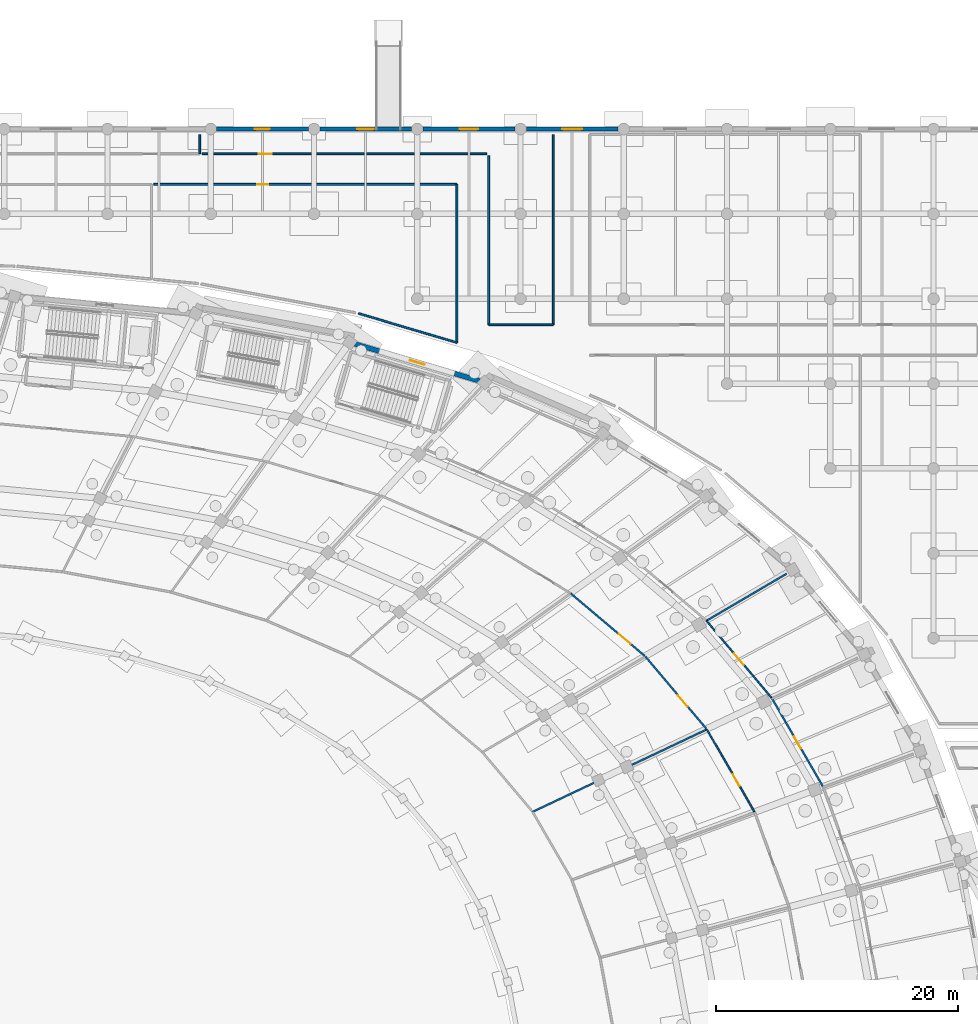
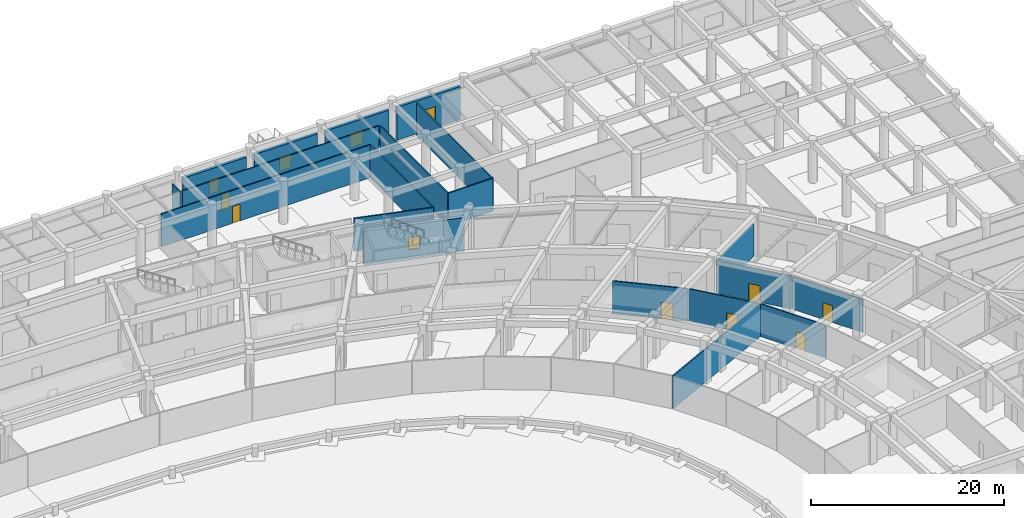
# One storey, part 63 of 88: 20 walls, 7 doors, 5 windows, 12 openings.
"""IFC4 building model written with IfcOpenShell, lengths in metres."""

import ifcopenshell
import ifcopenshell.guid

model = None  # the IFC model being written
_history = None  # IfcOwnerHistory: only IFC2X3 demands one
_inside = {}  # id of a spatial element -> (the spatial element, [elements in it])
_under = {}  # id of a project, library or spatial element -> (it, [spatial elements below it])
_declared = {}  # id of a project -> (the project, [libraries it declares])
_typed = {}  # id of a type object -> (the type object, [elements of that type])
_made_of = {}  # id of a material, layer set ... -> (it, [elements and type objects made of it])


def new_model(schema):
    """Start an empty IFC model of exactly this schema.

    Asked for "IFC4X3", IfcOpenShell would pick the latest addendum, in which some entities
    have other attributes; the version numbers below select the first issue.
    IFC2X3 requires an IfcOwnerHistory on every rooted entity: one is made here for all.
    """
    global model, _history
    if schema == "IFC4X3":
        model = ifcopenshell.file(schema_version=(4, 3, 0, 0))
    else:
        model = ifcopenshell.file(schema=schema)
    _inside.clear()
    _under.clear()
    _declared.clear()
    _typed.clear()
    _made_of.clear()
    _history = None
    if model.schema == "IFC2X3":
        org = make("IfcOrganization", Name="unknown")
        user = make(
            "IfcPersonAndOrganization",
            ThePerson=make("IfcPerson", FamilyName="unknown"),
            TheOrganization=org,
        )
        app = make(
            "IfcApplication",
            ApplicationDeveloper=org,
            Version="unknown",
            ApplicationFullName="unknown",
            ApplicationIdentifier="unknown",
        )
        _history = make(
            "IfcOwnerHistory",
            OwningUser=user,
            OwningApplication=app,
            ChangeAction="ADDED",
            CreationDate=0,
        )
    return model


def make(cls, **values):
    """One entity of the class cls with the attributes given. An attribute that is None is left unset."""
    return model.create_entity(
        cls, **{name: value for name, value in values.items() if value is not None}
    )


def rooted(cls, **values):
    """An entity with a GlobalId (a new one), such as an element, a storey or a relation."""
    return make(cls, GlobalId=ifcopenshell.guid.new(), OwnerHistory=_history, **values)


def si_unit(unit_type, name, prefix=None):
    """IfcSIUnit, for example si_unit("LENGTHUNIT", "METRE", prefix="MILLI")."""
    return make("IfcSIUnit", UnitType=unit_type, Prefix=prefix, Name=name)


def assignment(units):
    """IfcUnitAssignment: the units of a project."""
    return None if units is None else make("IfcUnitAssignment", Units=units)


def point(xyz):
    """IfcCartesianPoint."""
    return None if xyz is None else make("IfcCartesianPoint", Coordinates=xyz)


def direction(xyz):
    """IfcDirection."""
    return None if xyz is None else make("IfcDirection", DirectionRatios=xyz)


def frame(location, z_axis=None, x_axis=None):
    """IfcAxis2Placement3D, a coordinate frame: its origin and axes. An axis left out is left unset."""
    return make(
        "IfcAxis2Placement3D",
        Location=point(location),
        Axis=direction(z_axis),
        RefDirection=direction(x_axis),
    )


def frame_2d(location, x_axis=None):
    """IfcAxis2Placement2D, a coordinate frame in the plane: its origin and x axis."""
    return make(
        "IfcAxis2Placement2D", Location=point(location), RefDirection=direction(x_axis)
    )


def origin():
    """The frame at (0, 0, 0) with its axes left unset."""
    return frame((0.0, 0.0, 0.0))


def place(relative_to, where):
    """IfcLocalPlacement: puts the frame where relative to a parent placement (None: the world)."""
    return make(
        "IfcLocalPlacement", PlacementRelTo=relative_to, RelativePlacement=where
    )


def context(
    kind, dimensions, precision=None, world=None, true_north=None, identifier=None
):
    """IfcGeometricRepresentationContext, for example the 3D "Model" context."""
    return make(
        "IfcGeometricRepresentationContext",
        ContextIdentifier=identifier,
        ContextType=kind,
        CoordinateSpaceDimension=dimensions,
        Precision=precision,
        WorldCoordinateSystem=world,
        TrueNorth=true_north,
    )


def subcontext(parent, identifier, kind, view, scale=None):
    """IfcGeometricRepresentationSubContext, for example "Body" below "Model"."""
    return make(
        "IfcGeometricRepresentationSubContext",
        ContextIdentifier=identifier,
        ContextType=kind,
        ParentContext=parent,
        TargetScale=scale,
        TargetView=view,
    )


def project(units=None, contexts=None):
    """IfcProject with its units and contexts."""
    return rooted(
        "IfcProject",
        Name="project",
        RepresentationContexts=contexts,
        UnitsInContext=assignment(units),
    )


def spatial(cls, under=None, at=None, **own):
    """A site, building, storey or space (cls), placed at a placement, below another one or the project."""
    s = rooted(cls, ObjectPlacement=at, **own)
    if under is not None:
        _under.setdefault(under.id(), (under, []))[1].append(s)
    return s


def profile(cls, at=None, kind="AREA", **sizes):
    """A parametric profile (cls). Its sizes go by their IFC names, for example OverallWidth=200.0."""
    return make(cls, ProfileType=kind, Position=at, **sizes)


def rectangle(**sizes):
    """IfcRectangleProfileDef."""
    return profile("IfcRectangleProfileDef", **sizes)


def extrude(swept, where, along, depth):
    """IfcExtrudedAreaSolid: the profile swept, set in the frame where, extruded along a direction by depth."""
    return make(
        "IfcExtrudedAreaSolid",
        SweptArea=swept,
        Position=where,
        ExtrudedDirection=direction(along),
        Depth=depth,
    )


def shape(context_of_items, identifier, shape_type, items):
    """IfcShapeRepresentation: the items that make up one representation, for example the "Body"."""
    return make(
        "IfcShapeRepresentation",
        ContextOfItems=context_of_items,
        RepresentationIdentifier=identifier,
        RepresentationType=shape_type,
        Items=items,
    )


def material(Name=None, Category=None):
    """IfcMaterial."""
    return make("IfcMaterial", Name=Name, Category=Category)


def layer(
    of_material, thickness, ventilated=None, Name=None, Category=None, Priority=None
):
    """IfcMaterialLayer: one layer of a wall or slab, of a material (None: an air gap)."""
    return make(
        "IfcMaterialLayer",
        Material=of_material,
        LayerThickness=thickness,
        IsVentilated=ventilated,
        Name=Name,
        Category=Category,
        Priority=Priority,
    )


def layer_set(layers, Name=None):
    """IfcMaterialLayerSet."""
    return make("IfcMaterialLayerSet", MaterialLayers=layers, LayerSetName=Name)


def made_of(thing, what):
    """Note that an element or type object is made of a material, layer set ...; save() writes the relation."""
    if what is not None:
        _made_of.setdefault(what.id(), (what, []))[1].append(thing)
    return thing


def type_object(cls, material=None, **own):
    """A type object (cls), such as IfcWallType, which elements share."""
    return made_of(rooted(cls, **own), material)


def element(
    cls,
    number,
    at=None,
    inside=None,
    cuts=None,
    type_object=None,
    material=None,
    context=None,
    identifier="Body",
    shape_type=None,
    held_by="IfcProductDefinitionShape",
    body=None,
    shapes=None,
    **own,
):
    """One element of the class cls, such as IfcWall. Its Tag is "e" and its number.

    at: its placement. inside: the storey or other place that contains it. cuts: it is an
    opening in that element (IfcRelVoidsElement). A single representation is given by context,
    identifier, shape_type and body (its items); several are given by shapes. held_by: the class
    of the entity that holds the representations. save() writes the other relations.
    """
    e = rooted(cls, Tag="e%d" % number, ObjectPlacement=at, **own)
    if body is not None:
        shapes = [shape(context, identifier, shape_type, body)]
    if shapes is not None:
        e.Representation = make(held_by, Representations=shapes)
    if inside is not None:
        _inside.setdefault(inside.id(), (inside, []))[1].append(e)
    if cuts is not None:
        rooted(
            "IfcRelVoidsElement", RelatingBuildingElement=cuts, RelatedOpeningElement=e
        )
    if type_object is not None:
        _typed.setdefault(type_object.id(), (type_object, []))[1].append(e)
    return made_of(e, material)


def fill(opening, filler):
    """IfcRelFillsElement: the door or window that sits in an opening."""
    return rooted(
        "IfcRelFillsElement",
        RelatingOpeningElement=opening,
        RelatedBuildingElement=filler,
    )


def aggregate(whole, parts):
    """IfcRelAggregates: a whole, such as a stair, and the parts it consists of."""
    return rooted("IfcRelAggregates", RelatingObject=whole, RelatedObjects=parts)


def save(model, path):
    """Write the relations noted so far, then the file.

    IfcRelAggregates (storeys below a building ...), IfcRelContainedInSpatialStructure (elements
    in a storey), IfcRelDefinesByType, IfcRelAssociatesMaterial and IfcRelDeclares: one each for
    every whole, place, type object, material and project.
    """
    for whole, parts in _under.values():
        aggregate(whole, parts)
    for where, things in _inside.values():
        rooted(
            "IfcRelContainedInSpatialStructure",
            RelatedElements=things,
            RelatingStructure=where,
        )
    for kind, things in _typed.values():
        rooted("IfcRelDefinesByType", RelatedObjects=things, RelatingType=kind)
    for what, things in _made_of.values():
        rooted("IfcRelAssociatesMaterial", RelatedObjects=things, RelatingMaterial=what)
    for by, libraries in _declared.values():
        rooted("IfcRelDeclares", RelatingContext=by, RelatedDefinitions=libraries)
    model.write(path)


model = new_model("IFC4")

# Units and contexts
model_context = context("Model", 3, precision=1e-05, world=origin(), true_north=direction((0.0, 1.0)))
body_context = subcontext(model_context, "Body", "Model", "MODEL_VIEW")
ifc_project = project(units=[si_unit("LENGTHUNIT", "METRE"), si_unit("AREAUNIT", "SQUARE_METRE"), si_unit("VOLUMEUNIT", "CUBIC_METRE"), si_unit("PLANEANGLEUNIT", "RADIAN"), si_unit("MASSUNIT", "GRAM", prefix="KILO")], contexts=[model_context])

# Site, building, storey
site_placement = place(None, origin())
site = spatial("IfcSite", under=ifc_project, at=site_placement, CompositionType="ELEMENT")
building_placement = place(site_placement, origin())
building = spatial("IfcBuilding", under=site, at=building_placement, Name="Mphavela Belvedere Stadium", CompositionType="ELEMENT")
storey_placement = place(building_placement, origin())
storey = spatial("IfcBuildingStorey", under=building, at=storey_placement, Name="L00", CompositionType="ELEMENT", Elevation=0.0)

# Wall, opening, window
ifc_material_1 = material(Name="Honed ashlar limestone masonry", Category="masonry")
ifc_layer_1 = layer(ifc_material_1, 0.35009765625)
ifc_layer_set_1 = layer_set([ifc_layer_1], Name="Honed ashlar limestone masonry")
wall_type_1 = type_object("IfcWallType", Name="WAL-EXT-ASHLAR-350", PredefinedType="STANDARD", material=ifc_layer_set_1)
wall_1_placement = place(storey_placement, frame((153.805908203125, 174.0, 0.0), z_axis=(0.0, 0.0, 1.0), x_axis=(1.0, 0.0, 0.0)))
wall_1 = element("IfcWall", 1, at=wall_1_placement, inside=storey, type_object=wall_type_1, Name="North Mast and Ceremonial End Forecourt outer facade bay L00-19", PredefinedType="STANDARD", context=body_context, shape_type="SweptSolid", body=[
    extrude(rectangle(XDim=7.572998046875, YDim=0.35009765625, at=frame_2d((3.78662109375, 0.0))), origin(), (0.0, 0.0, 1.0), 4.159912109375),
])
opening_1_placement = place(wall_1_placement, frame((3.16650390625, 0.0, 0.89990234375)))
opening_1 = element("IfcOpeningElement", 2, at=opening_1_placement, cuts=wall_1, Name="Opening W-145", PredefinedType="OPENING", context=body_context, shape_type="SweptSolid", body=[
    extrude(rectangle(XDim=1.239990234375, YDim=1.75, at=frame_2d((0.6201171875, 0.875))), frame((0.0, 0.18505859375, 0.0), z_axis=(0.0, -1.0, 0.0), x_axis=(1.0, 0.0, 0.0)), (0.0, 0.0, 1.0), 0.3701171875),
])
ifc_material_2 = material(Name="Bronze-anodised thermally broken aluminium window", Category="aluminium")
window_type_1 = type_object("IfcWindowType", Name="WIN-EXT-13", PartitioningType="SINGLE_PANEL", PredefinedType="WINDOW", material=ifc_material_2)
window_1_placement = place(opening_1_placement, origin())
window_1 = element("IfcWindow", 3, at=window_1_placement, inside=storey, type_object=window_type_1, Name="North Mast and Ceremonial End Forecourt classical window W-145", OverallHeight=1.75, OverallWidth=1.239990234375, PartitioningType="SINGLE_PANEL", PredefinedType="WINDOW", context=body_context, shape_type="SweptSolid", body=[
    extrude(rectangle(XDim=1.239990234375, YDim=1.75, at=frame_2d((0.6201171875, 0.875))), frame((0.0, 0.030029296875, 0.0), z_axis=(0.0, -1.0, 0.0), x_axis=(1.0, 0.0, 0.0)), (0.0, 0.0, 1.0), 0.06005859375),
])
fill(opening_1, window_1)

wall_2_placement = place(storey_placement, frame((162.324951171875, 174.0, 0.0), z_axis=(0.0, 0.0, 1.0), x_axis=(1.0, 0.0, 0.0)))
wall_2 = element("IfcWall", 4, at=wall_2_placement, inside=storey, type_object=wall_type_1, Name="North Mast and Ceremonial End Forecourt outer facade bay L00-20", PredefinedType="STANDARD", context=body_context, shape_type="SweptSolid", body=[
    extrude(rectangle(XDim=7.572021484375, YDim=0.35009765625, at=frame_2d((3.7861328125, 0.0))), origin(), (0.0, 0.0, 1.0), 4.159912109375),
])
opening_2_placement = place(wall_2_placement, frame((3.095947265625, 0.0, 0.89990234375)))
opening_2 = element("IfcOpeningElement", 5, at=opening_2_placement, cuts=wall_2, Name="Opening W-146", PredefinedType="OPENING", context=body_context, shape_type="SweptSolid", body=[
    extrude(rectangle(XDim=1.3798828125, YDim=1.75, at=frame_2d((0.68994140625, 0.875))), frame((0.0, 0.18505859375, 0.0), z_axis=(0.0, -1.0, 0.0), x_axis=(1.0, 0.0, 0.0)), (0.0, 0.0, 1.0), 0.3701171875),
])
ifc_material_3 = material(Name="Bronze-anodised thermally broken aluminium window", Category="aluminium")
window_type_2 = type_object("IfcWindowType", Name="WIN-EXT-14", PartitioningType="SINGLE_PANEL", PredefinedType="WINDOW", material=ifc_material_3)
window_2_placement = place(opening_2_placement, origin())
window_2 = element("IfcWindow", 6, at=window_2_placement, inside=storey, type_object=window_type_2, Name="North Mast and Ceremonial End Forecourt classical window W-146", OverallHeight=1.75, OverallWidth=1.3798828125, PartitioningType="SINGLE_PANEL", PredefinedType="WINDOW", context=body_context, shape_type="SweptSolid", body=[
    extrude(rectangle(XDim=1.3798828125, YDim=1.75, at=frame_2d((0.68994140625, 0.875))), frame((0.0, 0.030029296875, 0.0), z_axis=(0.0, -1.0, 0.0), x_axis=(1.0, 0.0, 0.0)), (0.0, 0.0, 1.0), 0.06005859375),
])
fill(opening_2, window_2)

wall_3_placement = place(storey_placement, frame((170.843017578125, 174.0, 0.0), z_axis=(0.0, 0.0, 1.0), x_axis=(1.0, 0.0, 0.0)))
wall_3 = element("IfcWall", 7, at=wall_3_placement, inside=storey, type_object=wall_type_1, Name="North Mast and Ceremonial End Forecourt outer facade bay L00-21", PredefinedType="STANDARD", context=body_context, shape_type="SweptSolid", body=[
    extrude(rectangle(XDim=7.572998046875, YDim=0.35009765625, at=frame_2d((3.78662109375, 0.0))), origin(), (0.0, 0.0, 1.0), 4.159912109375),
])
opening_3_placement = place(wall_3_placement, frame((3.026611328125, 0.0, 0.89990234375)))
opening_3 = element("IfcOpeningElement", 8, at=opening_3_placement, cuts=wall_3, Name="Opening W-147", PredefinedType="OPENING", context=body_context, shape_type="SweptSolid", body=[
    extrude(rectangle(XDim=1.52001953125, YDim=1.75, at=frame_2d((0.760009765625, 0.875))), frame((0.0, 0.18505859375, 0.0), z_axis=(0.0, -1.0, 0.0), x_axis=(1.0, 0.0, 0.0)), (0.0, 0.0, 1.0), 0.3701171875),
])
ifc_material_4 = material(Name="Bronze-anodised thermally broken aluminium window", Category="aluminium")
window_type_3 = type_object("IfcWindowType", Name="WIN-EXT-15", PartitioningType="SINGLE_PANEL", PredefinedType="WINDOW", material=ifc_material_4)
window_3_placement = place(opening_3_placement, origin())
window_3 = element("IfcWindow", 9, at=window_3_placement, inside=storey, type_object=window_type_3, Name="North Mast and Ceremonial End Forecourt classical window W-147", OverallHeight=1.75, OverallWidth=1.52001953125, PartitioningType="SINGLE_PANEL", PredefinedType="WINDOW", context=body_context, shape_type="SweptSolid", body=[
    extrude(rectangle(XDim=1.52001953125, YDim=1.75, at=frame_2d((0.760009765625, 0.875))), frame((0.0, 0.030029296875, 0.0), z_axis=(0.0, -1.0, 0.0), x_axis=(1.0, 0.0, 0.0)), (0.0, 0.0, 1.0), 0.06005859375),
])
fill(opening_3, window_3)

wall_4_placement = place(storey_placement, frame((179.362060546875, 174.0, 0.0), z_axis=(0.0, 0.0, 1.0), x_axis=(1.0, 0.0, 0.0)))
wall_4 = element("IfcWall", 10, at=wall_4_placement, inside=storey, type_object=wall_type_1, Name="North Mast and Ceremonial End Forecourt outer facade bay L00-22", PredefinedType="STANDARD", context=body_context, shape_type="SweptSolid", body=[
    extrude(rectangle(XDim=7.572021484375, YDim=0.35009765625, at=frame_2d((3.7861328125, 0.0))), origin(), (0.0, 0.0, 1.0), 4.159912109375),
])
opening_4_placement = place(wall_4_placement, frame((2.9560546875, 0.0, 0.89990234375)))
opening_4 = element("IfcOpeningElement", 11, at=opening_4_placement, cuts=wall_4, Name="Opening W-148", PredefinedType="OPENING", context=body_context, shape_type="SweptSolid", body=[
    extrude(rectangle(XDim=1.659912109375, YDim=1.75, at=frame_2d((0.830078125, 0.875))), frame((0.0, 0.18505859375, 0.0), z_axis=(0.0, -1.0, 0.0), x_axis=(1.0, 0.0, 0.0)), (0.0, 0.0, 1.0), 0.3701171875),
])
ifc_material_5 = material(Name="Bronze-anodised thermally broken aluminium window", Category="aluminium")
window_type_4 = type_object("IfcWindowType", Name="WIN-EXT-16", PartitioningType="SINGLE_PANEL", PredefinedType="WINDOW", material=ifc_material_5)
window_4_placement = place(opening_4_placement, origin())
window_4 = element("IfcWindow", 12, at=window_4_placement, inside=storey, type_object=window_type_4, Name="North Mast and Ceremonial End Forecourt classical window W-148", OverallHeight=1.75, OverallWidth=1.659912109375, PartitioningType="SINGLE_PANEL", PredefinedType="WINDOW", context=body_context, shape_type="SweptSolid", body=[
    extrude(rectangle(XDim=1.659912109375, YDim=1.75, at=frame_2d((0.830078125, 0.875))), frame((0.0, 0.030029296875, 0.0), z_axis=(0.0, -1.0, 0.0), x_axis=(1.0, 0.0, 0.0)), (0.0, 0.0, 1.0), 0.06005859375),
])
fill(opening_4, window_4)

ifc_material_6 = material(Name="Rusticated ashlar limestone masonry", Category="masonry")
ifc_layer_2 = layer(ifc_material_6, 0.39990234375)
ifc_layer_set_2 = layer_set([ifc_layer_2], Name="Rusticated ashlar limestone masonry")
wall_type_2 = type_object("IfcWallType", Name="WAL-EXT-ASHLAR-400", PredefinedType="STANDARD", material=ifc_layer_set_2)
wall_5_placement = place(storey_placement, frame((165.230712890625, 156.269287109375, 0.0), z_axis=(0.0, 0.0, 1.0), x_axis=(0.958660844814, -0.284551198593, 0.0)))
wall_5 = element("IfcWall", 13, at=wall_5_placement, inside=storey, type_object=wall_type_2, Name="Ground plinth rusticated ashlar wall 09", PredefinedType="STANDARD", context=body_context, shape_type="SweptSolid", body=[
    extrude(rectangle(XDim=10.720458984375, YDim=0.39990234375, at=frame_2d((5.3603515625, 0.0))), origin(), (0.0, 0.0, 1.0), 4.25),
])
opening_5_placement = place(wall_5_placement, frame((4.740234375, 0.0, 1.10009765625)))
opening_5 = element("IfcOpeningElement", 14, at=opening_5_placement, cuts=wall_5, Name="Opening W-002", PredefinedType="OPENING", context=body_context, shape_type="SweptSolid", body=[
    extrude(rectangle(XDim=1.239990234375, YDim=1.550048828125, at=frame_2d((0.6201171875, 0.77490234375))), frame((0.0, 0.2099609375, 0.0), z_axis=(0.0, -1.0, 0.0), x_axis=(1.0, 0.0, 0.0)), (0.0, 0.0, 1.0), 0.419921875),
])
ifc_material_7 = material(Name="Bronze-anodised thermally broken aluminium window", Category="aluminium")
window_type_5 = type_object("IfcWindowType", Name="WIN-EXT-02", PartitioningType="SINGLE_PANEL", PredefinedType="WINDOW", material=ifc_material_7)
window_5_placement = place(opening_5_placement, origin())
window_5 = element("IfcWindow", 15, at=window_5_placement, inside=storey, type_object=window_type_5, Name="Plinth classical window W-002", OverallHeight=1.550048828125, OverallWidth=1.239990234375, PartitioningType="SINGLE_PANEL", PredefinedType="WINDOW", context=body_context, shape_type="SweptSolid", body=[
    extrude(rectangle(XDim=1.239990234375, YDim=1.550048828125, at=frame_2d((0.6201171875, 0.77490234375))), frame((0.0, 0.030029296875, 0.0), z_axis=(0.0, -1.0, 0.0), x_axis=(1.0, 0.0, 0.0)), (0.0, 0.0, 1.0), 0.06005859375),
])
fill(opening_5, window_5)

# Wall, opening, door
ifc_material_8 = material(Name="Moisture-resistant sanitary partition assembly")
ifc_layer_3 = layer(ifc_material_8, 0.125)
ifc_layer_set_3 = layer_set([ifc_layer_3], Name="Moisture-resistant sanitary partition assembly")
wall_type_3 = type_object("IfcWallType", Name="WAL-PART-125", PredefinedType="PARTITIONING", material=ifc_layer_set_3)
wall_6_placement = place(storey_placement, frame((194.260009765625, 124.47216796875, 0.0), z_axis=(0.0, 0.0, 1.0), x_axis=(0.500584301803, -0.865687794063, 0.0)))
wall_6 = element("IfcWall", 16, at=wall_6_placement, inside=storey, type_object=wall_type_3, Name="Room L00-42 corridor partition", PredefinedType="PARTITIONING", context=body_context, shape_type="SweptSolid", body=[
    extrude(rectangle(XDim=7.8369140625, YDim=0.125, at=frame_2d((3.91845703125, 0.0))), origin(), (0.0, 0.0, 1.0), 4.14990234375),
])
opening_6_placement = place(wall_6_placement, frame((4.283203125, 0.0, 0.0)))
opening_6 = element("IfcOpeningElement", 17, at=opening_6_placement, cuts=wall_6, Name="Opening ID-006", PredefinedType="OPENING", context=body_context, shape_type="SweptSolid", body=[
    extrude(rectangle(XDim=1.10009765625, YDim=2.10009765625, at=frame_2d((0.550048828125, 1.050048828125))), frame((0.0, 0.072509765625, 0.0), z_axis=(0.0, -1.0, 0.0), x_axis=(1.0, 0.0, 0.0)), (0.0, 0.0, 1.0), 0.14501953125),
])
ifc_material_9 = material(Name="Hardwood acoustic timber doorset", Category="wood")
door_type_1 = type_object("IfcDoorType", Name="DR-INT-06", OperationType="NOTDEFINED", PredefinedType="DOOR", material=ifc_material_9)
door_1_placement = place(opening_6_placement, origin())
door_1 = element("IfcDoor", 18, at=door_1_placement, inside=storey, type_object=door_type_1, Name="Room L00-42 entrance door ID-006", OperationType="SINGLE_SWING_RIGHT", OverallHeight=2.10009765625, OverallWidth=1.10009765625, PredefinedType="DOOR", context=body_context, shape_type="SweptSolid", body=[
    extrude(rectangle(XDim=1.10009765625, YDim=2.10009765625, at=frame_2d((0.550048828125, 1.050048828125))), frame((0.0, 0.02490234375, 0.0), z_axis=(0.0, -1.0, 0.0), x_axis=(1.0, 0.0, 0.0)), (0.0, 0.0, 1.0), 0.050048828125),
])
fill(opening_6, door_1)

wall_7_placement = place(storey_placement, frame((199.59521484375, 127.0859375, 0.0), z_axis=(0.0, 0.0, 1.0), x_axis=(-0.64516519871, 0.76404310505, 0.0)))
wall_7 = element("IfcWall", 19, at=wall_7_placement, inside=storey, type_object=wall_type_3, Name="Room L00-46 corridor partition", PredefinedType="PARTITIONING", context=body_context, shape_type="SweptSolid", body=[
    extrude(rectangle(XDim=8.3134765625, YDim=0.125, at=frame_2d((4.15673828125, 0.0))), origin(), (0.0, 0.0, 1.0), 4.14990234375),
])
opening_7_placement = place(wall_7_placement, frame((3.546630859375, 0.0, 0.0)))
opening_7 = element("IfcOpeningElement", 20, at=opening_7_placement, cuts=wall_7, Name="Opening ID-009", PredefinedType="OPENING", context=body_context, shape_type="SweptSolid", body=[
    extrude(rectangle(XDim=1.219970703125, YDim=2.10009765625, at=frame_2d((0.60986328125, 1.050048828125))), frame((0.0, 0.072509765625, 0.0), z_axis=(0.0, -1.0, 0.0), x_axis=(1.0, 0.0, 0.0)), (0.0, 0.0, 1.0), 0.14501953125),
])
ifc_material_10 = material(Name="Hardwood acoustic timber doorset", Category="wood")
door_type_2 = type_object("IfcDoorType", Name="DR-INT-09", OperationType="NOTDEFINED", PredefinedType="DOOR", material=ifc_material_10)
door_2_placement = place(opening_7_placement, origin())
door_2 = element("IfcDoor", 21, at=door_2_placement, inside=storey, type_object=door_type_2, Name="Room L00-46 entrance door ID-009", OperationType="SINGLE_SWING_LEFT", OverallHeight=2.10009765625, OverallWidth=1.219970703125, PredefinedType="DOOR", context=body_context, shape_type="SweptSolid", body=[
    extrude(rectangle(XDim=1.219970703125, YDim=2.10009765625, at=frame_2d((0.60986328125, 1.050048828125))), frame((0.0, 0.02490234375, 0.0), z_axis=(0.0, -1.0, 0.0), x_axis=(1.0, 0.0, 0.0)), (0.0, 0.0, 1.0), 0.050048828125),
])
fill(opening_7, door_2)

ifc_material_11 = material(Name="Acoustic gypsum stud partition assembly")
ifc_layer_4 = layer(ifc_material_11, 0.14990234375)
ifc_layer_set_4 = layer_set([ifc_layer_4], Name="Acoustic gypsum stud partition assembly")
wall_type_4 = type_object("IfcWallType", Name="WAL-PART-150", PredefinedType="PARTITIONING", material=ifc_layer_set_4)
wall_8_placement = place(storey_placement, frame((203.8330078125, 119.769287109375, 0.0), z_axis=(0.0, 0.0, 1.0), x_axis=(-0.500559280672, 0.865702262059, 0.0)))
wall_8 = element("IfcWall", 22, at=wall_8_placement, inside=storey, type_object=wall_type_4, Name="Room L00-43 corridor partition", PredefinedType="PARTITIONING", context=body_context, shape_type="SweptSolid", body=[
    extrude(rectangle(XDim=8.37451171875, YDim=0.14990234375, at=frame_2d((4.187255859375, 0.0))), origin(), (0.0, 0.0, 1.0), 4.14990234375),
])
opening_8_placement = place(wall_8_placement, frame((3.6171875, 0.0, 0.0)))
opening_8 = element("IfcOpeningElement", 23, at=opening_8_placement, cuts=wall_8, Name="Opening ID-007", PredefinedType="OPENING", context=body_context, shape_type="SweptSolid", body=[
    extrude(rectangle(XDim=1.139892578125, YDim=2.10009765625, at=frame_2d((0.56982421875, 1.050048828125))), frame((0.0, 0.0849609375, 0.0), z_axis=(0.0, -1.0, 0.0), x_axis=(1.0, 0.0, 0.0)), (0.0, 0.0, 1.0), 0.169921875),
])
ifc_material_12 = material(Name="Hardwood acoustic timber doorset", Category="wood")
door_type_3 = type_object("IfcDoorType", Name="DR-INT-07", OperationType="NOTDEFINED", PredefinedType="DOOR", material=ifc_material_12)
door_3_placement = place(opening_8_placement, origin())
door_3 = element("IfcDoor", 24, at=door_3_placement, inside=storey, type_object=door_type_3, Name="Room L00-43 entrance door ID-007", OperationType="SINGLE_SWING_LEFT", OverallHeight=2.10009765625, OverallWidth=1.139892578125, PredefinedType="DOOR", context=body_context, shape_type="SweptSolid", body=[
    extrude(rectangle(XDim=1.139892578125, YDim=2.10009765625, at=frame_2d((0.56982421875, 1.050048828125))), frame((0.0, 0.02490234375, 0.0), z_axis=(0.0, -1.0, 0.0), x_axis=(1.0, 0.0, 0.0)), (0.0, 0.0, 1.0), 0.050048828125),
])
fill(opening_8, door_3)

wall_9_placement = place(storey_placement, frame((189.193115234375, 130.481689453125, 0.0), z_axis=(0.0, 0.0, 1.0), x_axis=(0.645180817826, -0.764029915847, 0.0)))
wall_9 = element("IfcWall", 25, at=wall_9_placement, inside=storey, type_object=wall_type_4, Name="Room L00-45 corridor partition", PredefinedType="PARTITIONING", context=body_context, shape_type="SweptSolid", body=[
    extrude(rectangle(XDim=7.779296875, YDim=0.14990234375, at=frame_2d((3.8896484375, 0.0))), origin(), (0.0, 0.0, 1.0), 4.14990234375),
])
opening_9_placement = place(wall_9_placement, frame((4.193603515625, 0.0, 0.0)))
opening_9 = element("IfcOpeningElement", 26, at=opening_9_placement, cuts=wall_9, Name="Opening ID-008", PredefinedType="OPENING", context=body_context, shape_type="SweptSolid", body=[
    extrude(rectangle(XDim=1.179931640625, YDim=2.10009765625, at=frame_2d((0.58984375, 1.050048828125))), frame((0.0, 0.0849609375, 0.0), z_axis=(0.0, -1.0, 0.0), x_axis=(1.0, 0.0, 0.0)), (0.0, 0.0, 1.0), 0.169921875),
])
ifc_material_13 = material(Name="Hardwood acoustic timber doorset", Category="wood")
door_type_4 = type_object("IfcDoorType", Name="DR-INT-08", OperationType="NOTDEFINED", PredefinedType="DOOR", material=ifc_material_13)
door_4_placement = place(opening_9_placement, origin())
door_4 = element("IfcDoor", 27, at=door_4_placement, inside=storey, type_object=door_type_4, Name="Room L00-45 entrance door ID-008", OperationType="SINGLE_SWING_RIGHT", OverallHeight=2.10009765625, OverallWidth=1.179931640625, PredefinedType="DOOR", context=body_context, shape_type="SweptSolid", body=[
    extrude(rectangle(XDim=1.179931640625, YDim=2.10009765625, at=frame_2d((0.58984375, 1.050048828125))), frame((0.0, 0.02490234375, 0.0), z_axis=(0.0, -1.0, 0.0), x_axis=(1.0, 0.0, 0.0)), (0.0, 0.0, 1.0), 0.050048828125),
])
fill(opening_9, door_4)

wall_10_placement = place(storey_placement, frame((183.027099609375, 135.69189453125, 0.0), z_axis=(0.0, 0.0, 1.0), x_axis=(0.764249122867, -0.644921141068, 0.0)))
wall_10 = element("IfcWall", 28, at=wall_10_placement, inside=storey, type_object=wall_type_4, Name="Room L00-48 corridor partition", PredefinedType="PARTITIONING", context=body_context, shape_type="SweptSolid", body=[
    extrude(rectangle(XDim=7.989501953125, YDim=0.14990234375, at=frame_2d((3.99462890625, 0.0))), origin(), (0.0, 0.0, 1.0), 4.14990234375),
])
opening_10_placement = place(wall_10_placement, frame((5.191650390625, 0.0, 0.0)))
opening_10 = element("IfcOpeningElement", 29, at=opening_10_placement, cuts=wall_10, Name="Opening ID-010", PredefinedType="OPENING", context=body_context, shape_type="SweptSolid", body=[
    extrude(rectangle(XDim=1.260009765625, YDim=2.10009765625, at=frame_2d((0.6298828125, 1.050048828125))), frame((0.0, 0.0849609375, 0.0), z_axis=(0.0, -1.0, 0.0), x_axis=(1.0, 0.0, 0.0)), (0.0, 0.0, 1.0), 0.169921875),
])
ifc_material_14 = material(Name="Hardwood acoustic timber doorset", Category="wood")
door_type_5 = type_object("IfcDoorType", Name="DR-INT-10", OperationType="NOTDEFINED", PredefinedType="DOOR", material=ifc_material_14)
door_5_placement = place(opening_10_placement, origin())
door_5 = element("IfcDoor", 30, at=door_5_placement, inside=storey, type_object=door_type_5, Name="Room L00-48 entrance door ID-010", OperationType="SINGLE_SWING_RIGHT", OverallHeight=2.10009765625, OverallWidth=1.260009765625, PredefinedType="DOOR", context=body_context, shape_type="SweptSolid", body=[
    extrude(rectangle(XDim=1.260009765625, YDim=2.10009765625, at=frame_2d((0.6298828125, 1.050048828125))), frame((0.0, 0.02490234375, 0.0), z_axis=(0.0, -1.0, 0.0), x_axis=(1.0, 0.0, 0.0)), (0.0, 0.0, 1.0), 0.050048828125),
])
fill(opening_10, door_5)

wall_11_placement = place(storey_placement, frame((148.64501953125, 169.43994140625, 0.0), z_axis=(0.0, 0.0, 1.0), x_axis=(1.0, 0.0, 0.0)))
wall_11 = element("IfcWall", 31, at=wall_11_placement, inside=storey, type_object=wall_type_4, Name="Room L00-192 corridor partition", PredefinedType="PARTITIONING", context=body_context, shape_type="SweptSolid", body=[
    extrude(rectangle(XDim=24.994873046875, YDim=0.14990234375, at=frame_2d((12.49755859375, 0.0))), origin(), (0.0, 0.0, 1.0), 4.14990234375),
])
opening_11_placement = place(wall_11_placement, frame((8.529296875, 0.0, 0.0)))
opening_11 = element("IfcOpeningElement", 32, at=opening_11_placement, cuts=wall_11, Name="Opening ID-433", PredefinedType="OPENING", context=body_context, shape_type="SweptSolid", body=[
    extrude(rectangle(XDim=0.89990234375, YDim=2.10009765625, at=frame_2d((0.449951171875, 1.050048828125))), frame((0.0, 0.0849609375, 0.0), z_axis=(0.0, -1.0, 0.0), x_axis=(1.0, 0.0, 0.0)), (0.0, 0.0, 1.0), 0.169921875),
])
ifc_material_15 = material(Name="Hardwood acoustic timber doorset", Category="wood")
door_type_6 = type_object("IfcDoorType", Name="DR-INT-01", OperationType="NOTDEFINED", PredefinedType="DOOR", material=ifc_material_15)
door_6_placement = place(opening_11_placement, origin())
door_6 = element("IfcDoor", 33, at=door_6_placement, inside=storey, type_object=door_type_6, Name="Room L00-192 entrance door ID-433", OperationType="SINGLE_SWING_LEFT", OverallHeight=2.10009765625, OverallWidth=0.89990234375, PredefinedType="DOOR", context=body_context, shape_type="SweptSolid", body=[
    extrude(rectangle(XDim=0.89990234375, YDim=2.10009765625, at=frame_2d((0.449951171875, 1.050048828125))), frame((0.0, 0.02490234375, 0.0), z_axis=(0.0, -1.0, 0.0), x_axis=(1.0, 0.0, 0.0)), (0.0, 0.0, 1.0), 0.050048828125),
])
fill(opening_11, door_6)

wall_12_placement = place(storey_placement, frame((176.10009765625, 171.9599609375, 0.0), z_axis=(0.0, 0.0, 1.0), x_axis=(-1.0, 0.0, 0.0)))
wall_12 = element("IfcWall", 34, at=wall_12_placement, inside=storey, type_object=wall_type_4, Name="Room L00-196 corridor partition", PredefinedType="PARTITIONING", context=body_context, shape_type="SweptSolid", body=[
    extrude(rectangle(XDim=23.47998046875, YDim=0.14990234375, at=frame_2d((11.739990234375, 0.0))), origin(), (0.0, 0.0, 1.0), 4.14990234375),
])
opening_12_placement = place(wall_12_placement, frame((17.743896484375, 0.0, 0.0)))
opening_12 = element("IfcOpeningElement", 35, at=opening_12_placement, cuts=wall_12, Name="Opening ID-437", PredefinedType="OPENING", context=body_context, shape_type="SweptSolid", body=[
    extrude(rectangle(XDim=1.06005859375, YDim=2.10009765625, at=frame_2d((0.530029296875, 1.050048828125))), frame((0.0, 0.0849609375, 0.0), z_axis=(0.0, -1.0, 0.0), x_axis=(1.0, 0.0, 0.0)), (0.0, 0.0, 1.0), 0.169921875),
])
ifc_material_16 = material(Name="Hardwood acoustic timber doorset", Category="wood")
door_type_7 = type_object("IfcDoorType", Name="DR-INT-05", OperationType="NOTDEFINED", PredefinedType="DOOR", material=ifc_material_16)
door_7_placement = place(opening_12_placement, origin())
door_7 = element("IfcDoor", 36, at=door_7_placement, inside=storey, type_object=door_type_7, Name="Room L00-196 entrance door ID-437", OperationType="SINGLE_SWING_LEFT", OverallHeight=2.10009765625, OverallWidth=1.06005859375, PredefinedType="DOOR", context=body_context, shape_type="SweptSolid", body=[
    extrude(rectangle(XDim=1.06005859375, YDim=2.10009765625, at=frame_2d((0.530029296875, 1.050048828125))), frame((0.0, 0.02490234375, 0.0), z_axis=(0.0, -1.0, 0.0), x_axis=(1.0, 0.0, 0.0)), (0.0, 0.0, 1.0), 0.050048828125),
])
fill(opening_12, door_7)

# Walls
wall_13_placement = place(storey_placement, frame((179.88720703125, 117.6689453125, 0.0), z_axis=(0.0, 0.0, 1.0), x_axis=(0.903858162526, 0.427832235854, 0.0)))
element("IfcWall", 37, at=wall_13_placement, inside=storey, type_object=wall_type_4, Name="Room divider partition L00-0012", PredefinedType="PARTITIONING", context=body_context, shape_type="SweptSolid", body=[
    extrude(rectangle(XDim=15.901611328125, YDim=0.14990234375, at=frame_2d((7.95068359375, 0.0))), origin(), (0.0, 0.0, 1.0), 4.14990234375),
])
wall_14_placement = place(storey_placement, frame((194.231689453125, 133.437744140625, 0.0), z_axis=(0.0, 0.0, 1.0), x_axis=(0.862520085009, 0.506022828492, 0.0)))
element("IfcWall", 38, at=wall_14_placement, inside=storey, type_object=wall_type_4, Name="Room divider partition L00-0016", PredefinedType="PARTITIONING", context=body_context, shape_type="SweptSolid", body=[
    extrude(rectangle(XDim=7.66259765625, YDim=0.14990234375, at=frame_2d((3.831298828125, 0.0))), origin(), (0.0, 0.0, 1.0), 4.14990234375),
])
wall_15_placement = place(storey_placement, frame((173.639892578125, 169.43994140625, 0.0), z_axis=(0.0, 0.0, 1.0), x_axis=(0.0, -1.0, 0.0)))
element("IfcWall", 39, at=wall_15_placement, inside=storey, type_object=wall_type_4, Name="Room divider partition L00-0930", PredefinedType="PARTITIONING", context=body_context, shape_type="SweptSolid", body=[
    extrude(rectangle(XDim=13.058837890625, YDim=0.14990234375, at=frame_2d((6.529296875, 0.0))), origin(), (0.0, 0.0, 1.0), 4.14990234375),
])
wall_16_placement = place(storey_placement, frame((173.639892578125, 156.381103515625, 0.0), z_axis=(0.0, 0.0, 1.0), x_axis=(-0.95866000112, 0.284554041006, 0.0)))
element("IfcWall", 40, at=wall_16_placement, inside=storey, type_object=wall_type_4, Name="Room divider partition L00-0931", PredefinedType="PARTITIONING", context=body_context, shape_type="SweptSolid", body=[
    extrude(rectangle(XDim=8.477783203125, YDim=0.14990234375, at=frame_2d((4.23876953125, 0.0))), origin(), (0.0, 0.0, 1.0), 4.14990234375),
])
wall_17_placement = place(storey_placement, frame((152.419921875, 173.550048828125, 0.0), z_axis=(0.0, 0.0, 1.0), x_axis=(0.0, -1.0, 0.0)))
element("IfcWall", 41, at=wall_17_placement, inside=storey, type_object=wall_type_4, Name="Room divider partition L00-0937", PredefinedType="PARTITIONING", context=body_context, shape_type="SweptSolid", body=[
    extrude(rectangle(XDim=1.590087890625, YDim=0.14990234375, at=frame_2d((0.794921875, 0.0))), origin(), (0.0, 0.0, 1.0), 4.14990234375),
])
wall_18_placement = place(storey_placement, frame((181.590087890625, 173.550048828125, 0.0), z_axis=(0.0, 0.0, 1.0), x_axis=(0.0, -1.0, 0.0)))
element("IfcWall", 42, at=wall_18_placement, inside=storey, type_object=wall_type_4, Name="Room divider partition L00-0939", PredefinedType="PARTITIONING", context=body_context, shape_type="SweptSolid", body=[
    extrude(rectangle(XDim=15.68994140625, YDim=0.14990234375, at=frame_2d((7.844970703125, 0.0))), origin(), (0.0, 0.0, 1.0), 4.14990234375),
])
wall_19_placement = place(storey_placement, frame((181.590087890625, 157.860107421875, 0.0), z_axis=(0.0, 0.0, 1.0), x_axis=(-1.0, 0.0, 0.0)))
element("IfcWall", 43, at=wall_19_placement, inside=storey, type_object=wall_type_4, Name="Room divider partition L00-0940", PredefinedType="PARTITIONING", context=body_context, shape_type="SweptSolid", body=[
    extrude(rectangle(XDim=5.330078125, YDim=0.14990234375, at=frame_2d((2.6650390625, 0.0))), origin(), (0.0, 0.0, 1.0), 4.14990234375),
])
wall_20_placement = place(storey_placement, frame((176.260009765625, 157.860107421875, 0.0), z_axis=(0.0, 0.0, 1.0), x_axis=(0.0, 1.0, 0.0)))
element("IfcWall", 44, at=wall_20_placement, inside=storey, type_object=wall_type_4, Name="Room divider partition L00-0941", PredefinedType="PARTITIONING", context=body_context, shape_type="SweptSolid", body=[
    extrude(rectangle(XDim=13.93994140625, YDim=0.14990234375, at=frame_2d((6.969970703125, 0.0))), origin(), (0.0, 0.0, 1.0), 4.14990234375),
])

save(model, "model.ifc")
